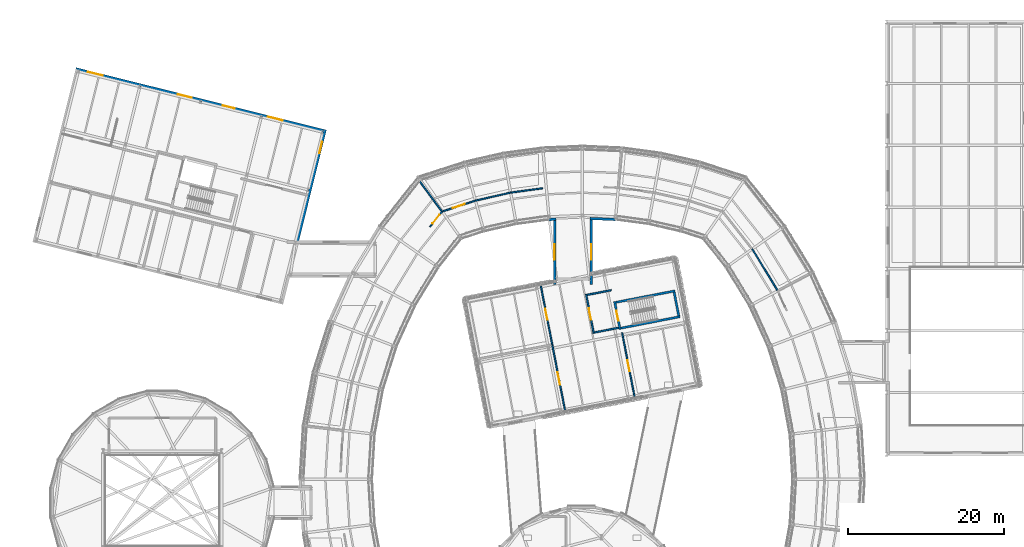
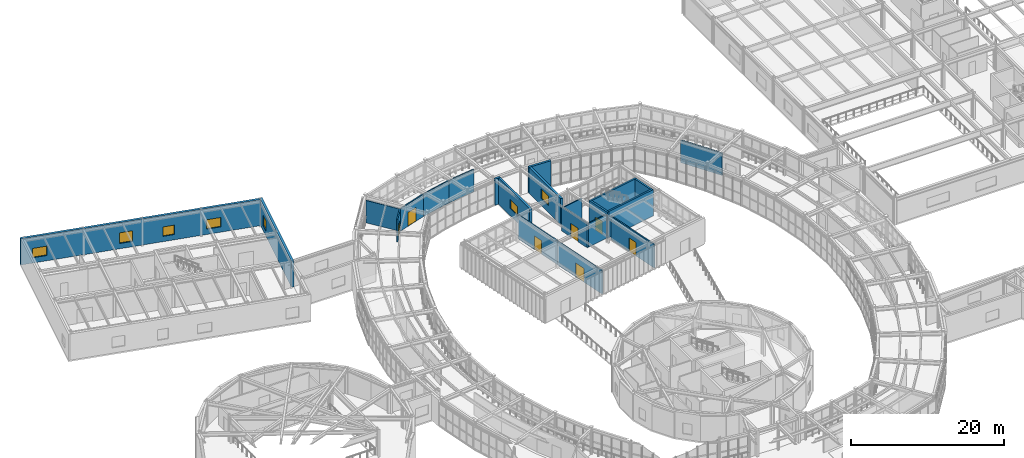
# One storey, part 80 of 103: 22 walls, 7 doors, 7 windows, 14 openings.
"""IFC4 building model written with IfcOpenShell, lengths in metres."""

from ifc_helpers import new_model, si_unit, direction, frame, frame_2d, origin, place, context, subcontext, project, spatial, rectangle, extrude, material, layer, layer_set, type_object, element, fill, save


model = new_model("IFC4")

# Units and contexts
model_context = context("Model", 3, precision=1e-05, world=origin(), true_north=direction((0.0, 1.0)))
body_context = subcontext(model_context, "Body", "Model", "MODEL_VIEW")
ifc_project = project(units=[si_unit("LENGTHUNIT", "METRE"), si_unit("AREAUNIT", "SQUARE_METRE"), si_unit("VOLUMEUNIT", "CUBIC_METRE"), si_unit("PLANEANGLEUNIT", "RADIAN"), si_unit("MASSUNIT", "GRAM", prefix="KILO")], contexts=[model_context])

# Site, building, storey
site_placement = place(None, origin())
site = spatial("IfcSite", under=ifc_project, at=site_placement, CompositionType="ELEMENT")
building_placement = place(site_placement, origin())
building = spatial("IfcBuilding", under=site, at=building_placement, Name="Varnklinge Art Gallery", CompositionType="ELEMENT")
storey_placement = place(building_placement, frame((0.0, 0.0, 5.10009765625)))
storey = spatial("IfcBuildingStorey", under=building, at=storey_placement, Name="L01", CompositionType="ELEMENT", Elevation=5.10009765625)

# Walls
ifc_material_1 = material(Name="Precast concrete C40/50", Category="concrete")
ifc_layer_1 = layer(ifc_material_1, 0.320068359375)
ifc_layer_set_1 = layer_set([ifc_layer_1], Name="Precast concrete C40/50")
wall_type_1 = type_object("IfcWallType", Name="EW-32", PredefinedType="SOLIDWALL", material=ifc_layer_set_1)
wall_1_placement = place(storey_placement, frame((79.738037109375, 88.20556640625, 0.0), z_axis=(0.0, 0.0, 1.0), x_axis=(-0.998997506034, 0.044765868011, 0.0)))
element("IfcWall", 1, at=wall_1_placement, inside=storey, type_object=wall_type_1, Name="EW-V2I-L01-K15-1", PredefinedType="SOLIDWALL", context=body_context, shape_type="SweptSolid", body=[
    extrude(rectangle(XDim=3.26123046875, YDim=0.320068359375, at=frame_2d((1.630615234375, 0.0))), origin(), (0.0, 0.0, 1.0), 4.179931640625),
])
wall_2_placement = place(storey_placement, frame((72.1201171875, 88.243896484375, 0.0), z_axis=(0.0, 0.0, 1.0), x_axis=(-0.999003976874, -0.044621230262, 0.0)))
element("IfcWall", 2, at=wall_2_placement, inside=storey, type_object=wall_type_1, Name="EW-V2I-L01-K16-1", PredefinedType="SOLIDWALL", context=body_context, shape_type="SweptSolid", body=[
    extrude(rectangle(XDim=0.859130859375, YDim=0.320068359375, at=frame_2d((0.4296875, 0.0))), origin(), (0.0, 0.0, 1.0), 4.179931640625),
])

# Wall, opening, window
wall_3_placement = place(storey_placement, frame((71.9599609375, 79.91796875, 0.0), z_axis=(0.0, 0.0, 1.0), x_axis=(0.0, 1.0, 0.0)))
wall_3 = element("IfcWall", 3, at=wall_3_placement, inside=storey, type_object=wall_type_1, Name="L01 Gallery Link Wall EW-LNK-V4N-L01-W", PredefinedType="SOLIDWALL", context=body_context, shape_type="SweptSolid", body=[
    extrude(rectangle(XDim=8.29736328125, YDim=0.320068359375, at=frame_2d((4.148681640625, 0.0))), origin(), (0.0, 0.0, 1.0), 4.179931640625),
])
opening_1_placement = place(wall_3_placement, frame((3.173583984375, 0.0, 1.1201171875)))
opening_1 = element("IfcOpeningElement", 4, at=opening_1_placement, cuts=wall_3, Name="Opening WN-05", PredefinedType="OPENING", context=body_context, shape_type="SweptSolid", body=[
    extrude(rectangle(XDim=1.949951171875, YDim=1.5, at=frame_2d((0.97509765625, 0.75))), frame((0.0, 0.170166015625, 0.0), z_axis=(0.0, -1.0, 0.0), x_axis=(1.0, 0.0, 0.0)), (0.0, 0.0, 1.0), 0.340087890625),
])
ifc_material_2 = material(Name="Insulated Low-E Triple Glazing", Category="glass")
window_type_1 = type_object("IfcWindowType", Name="WN-05", PartitioningType="SINGLE_PANEL", PredefinedType="WINDOW", material=ifc_material_2)
window_1_placement = place(opening_1_placement, origin())
window_1 = element("IfcWindow", 5, at=window_1_placement, inside=storey, type_object=window_type_1, Name="L01 Window WIN-L01-225", OverallHeight=1.5, OverallWidth=1.949951171875, PartitioningType="SINGLE_PANEL", PredefinedType="WINDOW", context=body_context, shape_type="SweptSolid", body=[
    extrude(rectangle(XDim=1.949951171875, YDim=1.5, at=frame_2d((0.97509765625, 0.75))), frame((0.0, 0.030029296875, 0.0), z_axis=(0.0, -1.0, 0.0), x_axis=(1.0, 0.0, 0.0)), (0.0, 0.0, 1.0), 0.06005859375),
])
fill(opening_1, window_1)

wall_4_placement = place(storey_placement, frame((76.639892578125, 88.21533203125, 0.0), z_axis=(0.0, 0.0, 1.0), x_axis=(0.0, -1.0, 0.0)))
wall_4 = element("IfcWall", 6, at=wall_4_placement, inside=storey, type_object=wall_type_1, Name="L01 Gallery Link Wall EW-LNK-V4N-L01-E", PredefinedType="SOLIDWALL", context=body_context, shape_type="SweptSolid", body=[
    extrude(rectangle(XDim=8.29736328125, YDim=0.320068359375, at=frame_2d((4.148681640625, 0.0))), origin(), (0.0, 0.0, 1.0), 4.179931640625),
])
opening_2_placement = place(wall_4_placement, frame((3.173583984375, 0.0, 1.1201171875)))
opening_2 = element("IfcOpeningElement", 7, at=opening_2_placement, cuts=wall_4, Name="Opening WN-05", PredefinedType="OPENING", context=body_context, shape_type="SweptSolid", body=[
    extrude(rectangle(XDim=1.949951171875, YDim=1.5, at=frame_2d((0.97509765625, 0.75))), frame((0.0, 0.170166015625, 0.0), z_axis=(0.0, -1.0, 0.0), x_axis=(1.0, 0.0, 0.0)), (0.0, 0.0, 1.0), 0.340087890625),
])
window_2_placement = place(opening_2_placement, origin())
window_2 = element("IfcWindow", 8, at=window_2_placement, inside=storey, type_object=window_type_1, Name="L01 Window WIN-L01-226", OverallHeight=1.5, OverallWidth=1.949951171875, PartitioningType="SINGLE_PANEL", PredefinedType="WINDOW", context=body_context, shape_type="SweptSolid", body=[
    extrude(rectangle(XDim=1.949951171875, YDim=1.5, at=frame_2d((0.97509765625, 0.75))), frame((0.0, 0.030029296875, 0.0), z_axis=(0.0, -1.0, 0.0), x_axis=(1.0, 0.0, 0.0)), (0.0, 0.0, 1.0), 0.06005859375),
])
fill(opening_2, window_2)

# Wall, openings, windows
ifc_material_3 = material(Name="Concrete C40/50", Category="concrete")
ifc_layer_2 = layer(ifc_material_3, 0.360107421875)
ifc_layer_set_2 = layer_set([ifc_layer_2], Name="Concrete C40/50")
wall_type_2 = type_object("IfcWallType", Name="EW-36", PredefinedType="SOLIDWALL", material=ifc_layer_set_2)
wall_5_placement = place(storey_placement, frame((10.728515625, 107.475341796875, 0.0), z_axis=(0.0, 0.0, 1.0), x_axis=(0.970297203556, -0.241915970475, 0.0)))
wall_5 = element("IfcWall", 9, at=wall_5_placement, inside=storey, type_object=wall_type_2, Name="L01 Exterior Wall EW-V5-L01-02", PredefinedType="SOLIDWALL", context=body_context, shape_type="SweptSolid", body=[
    extrude(rectangle(XDim=32.820068359375, YDim=0.360107421875, at=frame_2d((16.41015625, 0.0))), origin(), (0.0, 0.0, 1.0), 4.179931640625),
])
opening_3_placement = place(wall_5_placement, frame((1.60009765625, 0.0, 0.85009765625)))
opening_3 = element("IfcOpeningElement", 10, at=opening_3_placement, cuts=wall_5, Name="Opening WN-05", PredefinedType="OPENING", context=body_context, shape_type="SweptSolid", body=[
    extrude(rectangle(XDim=1.949951171875, YDim=1.5, at=frame_2d((0.97509765625, 0.75))), frame((0.0, 0.190185546875, 0.0), z_axis=(0.0, -1.0, 0.0), x_axis=(1.0, 0.0, 0.0)), (0.0, 0.0, 1.0), 0.380126953125),
])
opening_4_placement = place(wall_5_placement, frame((13.447998046875, 0.0, 0.85009765625)))
opening_4 = element("IfcOpeningElement", 11, at=opening_4_placement, cuts=wall_5, Name="Opening WN-11", PredefinedType="OPENING", context=body_context, shape_type="SweptSolid", body=[
    extrude(rectangle(XDim=1.800048828125, YDim=1.699951171875, at=frame_2d((0.89990234375, 0.85009765625))), frame((0.0, 0.190185546875, 0.0), z_axis=(0.0, -1.0, 0.0), x_axis=(1.0, 0.0, 0.0)), (0.0, 0.0, 1.0), 0.380126953125),
])
opening_5_placement = place(wall_5_placement, frame((19.3720703125, 0.0, 0.85009765625)))
opening_5 = element("IfcOpeningElement", 12, at=opening_5_placement, cuts=wall_5, Name="Opening WN-03", PredefinedType="OPENING", context=body_context, shape_type="SweptSolid", body=[
    extrude(rectangle(XDim=1.550048828125, YDim=1.5, at=frame_2d((0.77490234375, 0.75))), frame((0.0, 0.190185546875, 0.0), z_axis=(0.0, -1.0, 0.0), x_axis=(1.0, 0.0, 0.0)), (0.0, 0.0, 1.0), 0.380126953125),
])
opening_6_placement = place(wall_5_placement, frame((25.2958984375, 0.0, 0.85009765625)))
opening_6 = element("IfcOpeningElement", 13, at=opening_6_placement, cuts=wall_5, Name="Opening WN-05", PredefinedType="OPENING", context=body_context, shape_type="SweptSolid", body=[
    extrude(rectangle(XDim=1.949951171875, YDim=1.5, at=frame_2d((0.97509765625, 0.75))), frame((0.0, 0.190185546875, 0.0), z_axis=(0.0, -1.0, 0.0), x_axis=(1.0, 0.0, 0.0)), (0.0, 0.0, 1.0), 0.380126953125),
])
ifc_material_4 = material(Name="Insulated Low-E Triple Glazing", Category="glass")
window_type_2 = type_object("IfcWindowType", Name="WN-03", PartitioningType="SINGLE_PANEL", PredefinedType="WINDOW", material=ifc_material_4)
window_3_placement = place(opening_5_placement, origin())
window_3 = element("IfcWindow", 14, at=window_3_placement, inside=storey, type_object=window_type_2, Name="L01 Window WIN-L01-132", OverallHeight=1.5, OverallWidth=1.550048828125, PartitioningType="SINGLE_PANEL", PredefinedType="WINDOW", context=body_context, shape_type="SweptSolid", body=[
    extrude(rectangle(XDim=1.550048828125, YDim=1.5, at=frame_2d((0.77490234375, 0.75))), frame((0.0, 0.030029296875, 0.0), z_axis=(0.0, -1.0, 0.0), x_axis=(1.0, 0.0, 0.0)), (0.0, 0.0, 1.0), 0.06005859375),
])
fill(opening_5, window_3)
window_4_placement = place(opening_3_placement, origin())
window_4 = element("IfcWindow", 15, at=window_4_placement, inside=storey, type_object=window_type_1, Name="L01 Window WIN-L01-130", OverallHeight=1.5, OverallWidth=1.949951171875, PartitioningType="SINGLE_PANEL", PredefinedType="WINDOW", context=body_context, shape_type="SweptSolid", body=[
    extrude(rectangle(XDim=1.949951171875, YDim=1.5, at=frame_2d((0.97509765625, 0.75))), frame((0.0, 0.030029296875, 0.0), z_axis=(0.0, -1.0, 0.0), x_axis=(1.0, 0.0, 0.0)), (0.0, 0.0, 1.0), 0.06005859375),
])
fill(opening_3, window_4)
window_5_placement = place(opening_6_placement, origin())
window_5 = element("IfcWindow", 16, at=window_5_placement, inside=storey, type_object=window_type_1, Name="L01 Window WIN-L01-133", OverallHeight=1.5, OverallWidth=1.949951171875, PartitioningType="SINGLE_PANEL", PredefinedType="WINDOW", context=body_context, shape_type="SweptSolid", body=[
    extrude(rectangle(XDim=1.949951171875, YDim=1.5, at=frame_2d((0.97509765625, 0.75))), frame((0.0, 0.030029296875, 0.0), z_axis=(0.0, -1.0, 0.0), x_axis=(1.0, 0.0, 0.0)), (0.0, 0.0, 1.0), 0.06005859375),
])
fill(opening_6, window_5)
ifc_material_5 = material(Name="Insulated Low-E Triple Glazing", Category="glass")
window_type_3 = type_object("IfcWindowType", Name="WN-11", PartitioningType="SINGLE_PANEL", PredefinedType="WINDOW", material=ifc_material_5)
window_6_placement = place(opening_4_placement, origin())
window_6 = element("IfcWindow", 17, at=window_6_placement, inside=storey, type_object=window_type_3, Name="L01 Window WIN-L01-131", OverallHeight=1.699951171875, OverallWidth=1.800048828125, PartitioningType="SINGLE_PANEL", PredefinedType="WINDOW", context=body_context, shape_type="SweptSolid", body=[
    extrude(rectangle(XDim=1.800048828125, YDim=1.699951171875, at=frame_2d((0.89990234375, 0.85009765625))), frame((0.0, 0.030029296875, 0.0), z_axis=(0.0, -1.0, 0.0), x_axis=(1.0, 0.0, 0.0)), (0.0, 0.0, 1.0), 0.06005859375),
])
fill(opening_4, window_6)

# Wall, opening, window
wall_6_placement = place(storey_placement, frame((42.6171875, 99.710205078125, 0.0), z_axis=(0.0, 0.0, 1.0), x_axis=(-0.241906463411, -0.970299573822, 0.0)))
wall_6 = element("IfcWall", 18, at=wall_6_placement, inside=storey, type_object=wall_type_2, Name="L01 Exterior Wall EW-V5-L01-03", PredefinedType="SOLIDWALL", context=body_context, shape_type="SweptSolid", body=[
    extrude(rectangle(XDim=14.97509765625, YDim=0.360107421875, at=frame_2d((7.487548828125, 0.0))), origin(), (0.0, 0.0, 1.0), 4.179931640625),
])
opening_7_placement = place(wall_6_placement, frame((1.60009765625, 0.0, 0.85009765625)))
opening_7 = element("IfcOpeningElement", 19, at=opening_7_placement, cuts=wall_6, Name="Opening WN-10", PredefinedType="OPENING", context=body_context, shape_type="SweptSolid", body=[
    extrude(rectangle(XDim=1.5, YDim=1.699951171875, at=frame_2d((0.75, 0.85009765625))), frame((0.0, 0.190185546875, 0.0), z_axis=(0.0, -1.0, 0.0), x_axis=(1.0, 0.0, 0.0)), (0.0, 0.0, 1.0), 0.380126953125),
])
ifc_material_6 = material(Name="Insulated Low-E Triple Glazing", Category="glass")
window_type_4 = type_object("IfcWindowType", Name="WN-10", PartitioningType="SINGLE_PANEL", PredefinedType="WINDOW", material=ifc_material_6)
window_7_placement = place(opening_7_placement, origin())
window_7 = element("IfcWindow", 20, at=window_7_placement, inside=storey, type_object=window_type_4, Name="L01 Window WIN-L01-134", OverallHeight=1.699951171875, OverallWidth=1.5, PartitioningType="SINGLE_PANEL", PredefinedType="WINDOW", context=body_context, shape_type="SweptSolid", body=[
    extrude(rectangle(XDim=1.5, YDim=1.699951171875, at=frame_2d((0.75, 0.85009765625))), frame((0.0, 0.030029296875, 0.0), z_axis=(0.0, -1.0, 0.0), x_axis=(1.0, 0.0, 0.0)), (0.0, 0.0, 1.0), 0.06005859375),
])
fill(opening_7, window_7)

# Wall
ifc_material_7 = material(Name="Gypsum Board Partition", Category="gypsum")
ifc_layer_3 = layer(ifc_material_7, 0.179931640625)
ifc_layer_set_3 = layer_set([ifc_layer_3], Name="Gypsum Board Partition")
wall_type_3 = type_object("IfcWallType", Name="IW-18", PredefinedType="PARTITIONING", material=ifc_layer_set_3)
wall_7_placement = place(storey_placement, frame((97.228515625, 84.438720703125, 0.0), z_axis=(0.0, 0.0, 1.0), x_axis=(0.520915928932, -0.853607986716, 0.0)))
element("IfcWall", 21, at=wall_7_placement, inside=storey, type_object=wall_type_3, Name="L01 Partition Wall IW-L01-0182", PredefinedType="PARTITIONING", context=body_context, shape_type="SweptSolid", body=[
    extrude(rectangle(XDim=6.232421875, YDim=0.179931640625, at=frame_2d((3.1162109375, 0.0))), origin(), (0.0, 0.0, 1.0), 3.56982421875),
])

# Wall, opening, door
wall_8_placement = place(storey_placement, frame((57.5634765625, 89.22802734375, 0.0), z_axis=(0.0, 0.0, 1.0), x_axis=(0.950105725535, 0.311928053091, 0.0)))
wall_8 = element("IfcWall", 22, at=wall_8_placement, inside=storey, type_object=wall_type_3, Name="L01 Partition Wall IW-L01-0183", PredefinedType="PARTITIONING", context=body_context, shape_type="SweptSolid", body=[
    extrude(rectangle(XDim=4.50048828125, YDim=0.179931640625, at=frame_2d((2.250244140625, 0.0))), origin(), (0.0, 0.0, 1.0), 3.56982421875),
])
opening_8_placement = place(wall_8_placement, frame((1.43017578125, 0.0, 0.0)))
opening_8 = element("IfcOpeningElement", 23, at=opening_8_placement, cuts=wall_8, Name="Opening D-L01-188", PredefinedType="OPENING", context=body_context, shape_type="SweptSolid", body=[
    extrude(rectangle(XDim=1.639892578125, YDim=2.199951171875, at=frame_2d((0.81982421875, 1.10009765625))), frame((0.0, 0.099853515625, 0.0), z_axis=(0.0, -1.0, 0.0), x_axis=(1.0, 0.0, 0.0)), (0.0, 0.0, 1.0), 0.199951171875),
])
ifc_material_8 = material(Name="Oak Timber Leaf", Category="wood")
door_type_1 = type_object("IfcDoorType", Name="ID-08", OperationType="DOUBLE_DOOR_SINGLE_SWING", PredefinedType="DOOR", material=ifc_material_8)
door_1_placement = place(opening_8_placement, origin())
door_1 = element("IfcDoor", 24, at=door_1_placement, inside=storey, type_object=door_type_1, Name="L01 L01 Upper Northwest New Media Gallery Door D-L01-188", OperationType="DOUBLE_DOOR_SINGLE_SWING", OverallHeight=2.199951171875, OverallWidth=1.639892578125, PredefinedType="DOOR", context=body_context, shape_type="SweptSolid", body=[
    extrude(rectangle(XDim=1.639892578125, YDim=2.199951171875, at=frame_2d((0.81982421875, 1.10009765625))), frame((0.0, 0.02490234375, 0.0), z_axis=(0.0, -1.0, 0.0), x_axis=(1.0, 0.0, 0.0)), (0.0, 0.0, 1.0), 0.050048828125),
])
fill(opening_8, door_1)

# Walls
wall_9_placement = place(storey_placement, frame((61.83935546875, 90.6318359375, 0.0), z_axis=(0.0, 0.0, 1.0), x_axis=(0.975049979992, 0.221985442131, 0.0)))
element("IfcWall", 25, at=wall_9_placement, inside=storey, type_object=wall_type_3, Name="L01 Partition Wall IW-L01-0184", PredefinedType="PARTITIONING", context=body_context, shape_type="SweptSolid", body=[
    extrude(rectangle(XDim=4.60498046875, YDim=0.179931640625, at=frame_2d((2.302490234375, 0.0))), origin(), (0.0, 0.0, 1.0), 3.56982421875),
])
wall_10_placement = place(storey_placement, frame((66.329345703125, 91.654052734375, 0.0), z_axis=(0.0, 0.0, 1.0), x_axis=(0.990990314018, 0.133933556372, 0.0)))
element("IfcWall", 26, at=wall_10_placement, inside=storey, type_object=wall_type_3, Name="L01 Partition Wall IW-L01-0185", PredefinedType="PARTITIONING", context=body_context, shape_type="SweptSolid", body=[
    extrude(rectangle(XDim=4.137939453125, YDim=0.179931640625, at=frame_2d((2.06884765625, 0.0))), origin(), (0.0, 0.0, 1.0), 3.56982421875),
])

# Wall, opening, door
wall_11_placement = place(storey_placement, frame((56.010498046875, 87.2666015625, 0.0), z_axis=(0.0, 0.0, 1.0), x_axis=(0.620747935214, 0.784010204607, 0.0)))
wall_11 = element("IfcWall", 27, at=wall_11_placement, inside=storey, type_object=wall_type_3, Name="L01 Partition Wall IW-L01-0190", PredefinedType="PARTITIONING", context=body_context, shape_type="SweptSolid", body=[
    extrude(rectangle(XDim=2.501708984375, YDim=0.179931640625, at=frame_2d((1.2509765625, 0.0))), origin(), (0.0, 0.0, 1.0), 3.56982421875),
])
opening_9_placement = place(wall_11_placement, frame((0.541015625, 0.0, 0.0)))
opening_9 = element("IfcOpeningElement", 28, at=opening_9_placement, cuts=wall_11, Name="Opening D-L01-191", PredefinedType="OPENING", context=body_context, shape_type="SweptSolid", body=[
    extrude(rectangle(XDim=1.419921875, YDim=2.179931640625, at=frame_2d((0.7099609375, 1.08984375))), frame((0.0, 0.099853515625, 0.0), z_axis=(0.0, -1.0, 0.0), x_axis=(1.0, 0.0, 0.0)), (0.0, 0.0, 1.0), 0.199951171875),
])
ifc_material_9 = material(Name="Oak Timber Leaf", Category="wood")
door_type_2 = type_object("IfcDoorType", Name="ID-07", OperationType="DOUBLE_DOOR_SINGLE_SWING", PredefinedType="DOOR", material=ifc_material_9)
door_2_placement = place(opening_9_placement, origin())
door_2 = element("IfcDoor", 29, at=door_2_placement, inside=storey, type_object=door_type_2, Name="L01 L01 Upper West Curved Exhibition Gallery 2 Door D-L01-191", OperationType="DOUBLE_DOOR_SINGLE_SWING", OverallHeight=2.179931640625, OverallWidth=1.419921875, PredefinedType="DOOR", context=body_context, shape_type="SweptSolid", body=[
    extrude(rectangle(XDim=1.419921875, YDim=2.179931640625, at=frame_2d((0.7099609375, 1.08984375))), frame((0.0, 0.02490234375, 0.0), z_axis=(0.0, -1.0, 0.0), x_axis=(1.0, 0.0, 0.0)), (0.0, 0.0, 1.0), 0.050048828125),
])
fill(opening_9, door_2)

wall_12_placement = place(storey_placement, frame((71.650634765625, 72.23046875, 0.0), z_axis=(0.0, 0.0, 1.0), x_axis=(-0.190786732806, 0.981631510591, 0.0)))
wall_12 = element("IfcWall", 30, at=wall_12_placement, inside=storey, type_object=wall_type_3, Name="L01 Partition Wall IW-L01-0216", PredefinedType="PARTITIONING", context=body_context, shape_type="SweptSolid", body=[
    extrude(rectangle(XDim=7.880126953125, YDim=0.179931640625, at=frame_2d((3.93994140625, 0.0))), origin(), (0.0, 0.0, 1.0), 3.789794921875),
])
opening_10_placement = place(wall_12_placement, frame((3.22998046875, 0.0, 0.0)))
opening_10 = element("IfcOpeningElement", 31, at=opening_10_placement, cuts=wall_12, Name="Opening D-L01-203", PredefinedType="OPENING", context=body_context, shape_type="SweptSolid", body=[
    extrude(rectangle(XDim=1.419921875, YDim=2.179931640625, at=frame_2d((0.7099609375, 1.08984375))), frame((0.0, 0.099853515625, 0.0), z_axis=(0.0, -1.0, 0.0), x_axis=(1.0, 0.0, 0.0)), (0.0, 0.0, 1.0), 0.199951171875),
])
door_3_placement = place(opening_10_placement, origin())
door_3 = element("IfcDoor", 32, at=door_3_placement, inside=storey, type_object=door_type_2, Name="L01 L01 Lattice North Daylight Gallery Door D-L01-203", OperationType="DOUBLE_DOOR_SINGLE_SWING", OverallHeight=2.179931640625, OverallWidth=1.419921875, PredefinedType="DOOR", context=body_context, shape_type="SweptSolid", body=[
    extrude(rectangle(XDim=1.419921875, YDim=2.179931640625, at=frame_2d((0.7099609375, 1.08984375))), frame((0.0, 0.02490234375, 0.0), z_axis=(0.0, -1.0, 0.0), x_axis=(1.0, 0.0, 0.0)), (0.0, 0.0, 1.0), 0.050048828125),
])
fill(opening_10, door_3)

wall_13_placement = place(storey_placement, frame((73.33349609375, 63.57275390625, 0.0), z_axis=(0.0, 0.0, 1.0), x_axis=(-0.190805940679, 0.981627777216, 0.0)))
wall_13 = element("IfcWall", 33, at=wall_13_placement, inside=storey, type_object=wall_type_3, Name="L01 Partition Wall IW-L01-0217", PredefinedType="PARTITIONING", context=body_context, shape_type="SweptSolid", body=[
    extrude(rectangle(XDim=8.81982421875, YDim=0.179931640625, at=frame_2d((4.409912109375, 0.0))), origin(), (0.0, 0.0, 1.0), 3.739990234375),
])
opening_11_placement = place(wall_13_placement, frame((3.58984375, 0.0, 0.0)))
opening_11 = element("IfcOpeningElement", 34, at=opening_11_placement, cuts=wall_13, Name="Opening D-L01-204", PredefinedType="OPENING", context=body_context, shape_type="SweptSolid", body=[
    extrude(rectangle(XDim=1.639892578125, YDim=2.199951171875, at=frame_2d((0.81982421875, 1.10009765625))), frame((0.0, 0.099853515625, 0.0), z_axis=(0.0, -1.0, 0.0), x_axis=(1.0, 0.0, 0.0)), (0.0, 0.0, 1.0), 0.199951171875),
])
door_4_placement = place(opening_11_placement, origin())
door_4 = element("IfcDoor", 35, at=door_4_placement, inside=storey, type_object=door_type_1, Name="L01 L01 Lattice Video Installation Gallery Door D-L01-204", OperationType="DOUBLE_DOOR_SINGLE_SWING", OverallHeight=2.199951171875, OverallWidth=1.639892578125, PredefinedType="DOOR", context=body_context, shape_type="SweptSolid", body=[
    extrude(rectangle(XDim=1.639892578125, YDim=2.199951171875, at=frame_2d((0.81982421875, 1.10009765625))), frame((0.0, 0.02490234375, 0.0), z_axis=(0.0, -1.0, 0.0), x_axis=(1.0, 0.0, 0.0)), (0.0, 0.0, 1.0), 0.050048828125),
])
fill(opening_11, door_4)

wall_14_placement = place(storey_placement, frame((80.590087890625, 73.7236328125, 0.0), z_axis=(0.0, 0.0, 1.0), x_axis=(0.190821676148, -0.98162471847, 0.0)))
wall_14 = element("IfcWall", 36, at=wall_14_placement, inside=storey, type_object=wall_type_3, Name="L01 Partition Wall IW-L01-0218", PredefinedType="PARTITIONING", context=body_context, shape_type="SweptSolid", body=[
    extrude(rectangle(XDim=8.579833984375, YDim=0.179931640625, at=frame_2d((4.2900390625, 0.0))), origin(), (0.0, 0.0, 1.0), 3.739990234375),
])
opening_12_placement = place(wall_14_placement, frame((3.580078125, 0.0, 0.0)))
opening_12 = element("IfcOpeningElement", 37, at=opening_12_placement, cuts=wall_14, Name="Opening D-L01-205", PredefinedType="OPENING", context=body_context, shape_type="SweptSolid", body=[
    extrude(rectangle(XDim=1.419921875, YDim=2.179931640625, at=frame_2d((0.7099609375, 1.08984375))), frame((0.0, 0.099853515625, 0.0), z_axis=(0.0, -1.0, 0.0), x_axis=(1.0, 0.0, 0.0)), (0.0, 0.0, 1.0), 0.199951171875),
])
door_5_placement = place(opening_12_placement, origin())
door_5 = element("IfcDoor", 38, at=door_5_placement, inside=storey, type_object=door_type_2, Name="L01 L01 Lattice Photography Cabinet Door D-L01-205", OperationType="DOUBLE_DOOR_SINGLE_SWING", OverallHeight=2.179931640625, OverallWidth=1.419921875, PredefinedType="DOOR", context=body_context, shape_type="SweptSolid", body=[
    extrude(rectangle(XDim=1.419921875, YDim=2.179931640625, at=frame_2d((0.7099609375, 1.08984375))), frame((0.0, 0.02490234375, 0.0), z_axis=(0.0, -1.0, 0.0), x_axis=(1.0, 0.0, 0.0)), (0.0, 0.0, 1.0), 0.050048828125),
])
fill(opening_12, door_5)

# Walls
wall_15_placement = place(storey_placement, frame((57.5634765625, 89.22802734375, 0.0), z_axis=(0.0, 0.0, 1.0), x_axis=(-0.593204202216, 0.805052032153, 0.0)))
element("IfcWall", 39, at=wall_15_placement, inside=storey, type_object=wall_type_3, Name="L01 Partition Wall IW-L01-0244", PredefinedType="PARTITIONING", context=body_context, shape_type="SweptSolid", body=[
    extrude(rectangle(XDim=4.837890625, YDim=0.179931640625, at=frame_2d((2.4189453125, 0.0))), origin(), (0.0, 0.0, 1.0), 3.56982421875),
])
ifc_material_10 = material(Name="Concrete C40/50", Category="concrete")
ifc_layer_4 = layer(ifc_material_10, 0.199951171875)
ifc_layer_set_4 = layer_set([ifc_layer_4], Name="Concrete C40/50")
wall_type_4 = type_object("IfcWallType", Name="IW-20", PredefinedType="PARTITIONING", material=ifc_layer_set_4)
for number, where, z_axis, x_axis, name in (
    (40, (77.03662109375, 73.7666015625, 0.0), (0.0, 0.0, 1.0), (0.981639181901, 0.190747258323, 0.0), "L01 Core C8 Lobby South Wall"),
    (41, (79.193603515625, 79.177490234375, 0.0), (0.0, 0.0, 1.0), (-0.981624666284, -0.190821944603, 0.0), "L01 Core C8 Lobby North Wall"),
):
    element("IfcWall", number, at=place(storey_placement, frame(where, z_axis=z_axis, x_axis=x_axis)), inside=storey, type_object=wall_type_4, Name=name, PredefinedType="PARTITIONING", context=body_context, shape_type="SweptSolid", body=[
        extrude(rectangle(XDim=3.14990234375, YDim=0.199951171875, at=frame_2d((1.574951171875, 0.0))), origin(), (0.0, 0.0, 1.0), 3.789794921875),
    ])

# Wall, opening, door
wall_16_placement = place(storey_placement, frame((76.95751953125, 73.649169921875, 0.0), z_axis=(0.0, 0.0, 1.0), x_axis=(-0.190810719655, 0.98162684828, 0.0)))
wall_16 = element("IfcWall", 42, at=wall_16_placement, inside=storey, type_object=wall_type_4, Name="L01 Core C8 Lobby Corridor Wall", PredefinedType="PARTITIONING", context=body_context, shape_type="SweptSolid", body=[
    extrude(rectangle(XDim=5.10009765625, YDim=0.199951171875, at=frame_2d((2.550048828125, 0.0))), origin(), (0.0, 0.0, 1.0), 3.849853515625),
])
opening_13_placement = place(wall_16_placement, frame((1.81005859375, 0.0, 0.0)))
opening_13 = element("IfcOpeningElement", 43, at=opening_13_placement, cuts=wall_16, Name="Opening D-L01-111", PredefinedType="OPENING", context=body_context, shape_type="SweptSolid", body=[
    extrude(rectangle(XDim=1.47998046875, YDim=2.14990234375, at=frame_2d((0.739990234375, 1.074951171875))), frame((0.0, 0.110107421875, 0.0), z_axis=(0.0, -1.0, 0.0), x_axis=(1.0, 0.0, 0.0)), (0.0, 0.0, 1.0), 0.219970703125),
])
ifc_material_11 = material(Name="Galvanised Fire-Rated Steel", Category="steel")
door_type_3 = type_object("IfcDoorType", Name="ID-LB1", OperationType="DOUBLE_DOOR_SINGLE_SWING", PredefinedType="DOOR", material=ifc_material_11)
door_6_placement = place(opening_13_placement, origin())
door_6 = element("IfcDoor", 44, at=door_6_placement, inside=storey, type_object=door_type_3, Name="L01 Core C8 Protected Lobby Door D-L01-111", OperationType="DOUBLE_DOOR_SINGLE_SWING", OverallHeight=2.14990234375, OverallWidth=1.47998046875, PredefinedType="DOOR", context=body_context, shape_type="SweptSolid", body=[
    extrude(rectangle(XDim=1.47998046875, YDim=2.14990234375, at=frame_2d((0.739990234375, 1.074951171875))), frame((0.0, 0.02490234375, 0.0), z_axis=(0.0, -1.0, 0.0), x_axis=(1.0, 0.0, 0.0)), (0.0, 0.0, 1.0), 0.050048828125),
])
fill(opening_13, door_6)

# Walls
ifc_material_12 = material(Name="Concrete C40/50", Category="concrete")
ifc_layer_5 = layer(ifc_material_12, 0.280029296875)
ifc_layer_set_5 = layer_set([ifc_layer_5], Name="Concrete C40/50")
wall_type_5 = type_object("IfcWallType", Name="SW-28", PredefinedType="SHEAR", material=ifc_layer_set_5)
wall_17_placement = place(storey_placement, frame((80.432373046875, 74.32470703125, 0.0), z_axis=(0.0, 0.0, 1.0), x_axis=(0.981627268792, 0.190808556318, 0.0)))
element("IfcWall", 45, at=wall_17_placement, inside=storey, type_object=wall_type_5, Name="L01 Core C8 South Shear Wall", PredefinedType="SHEAR", context=body_context, shape_type="SweptSolid", body=[
    extrude(rectangle(XDim=7.699951171875, YDim=0.280029296875, at=frame_2d((3.85009765625, 0.0))), origin(), (0.0, 0.0, 1.0), 4.199951171875),
])
wall_18_placement = place(storey_placement, frame((87.826904296875, 75.904541015625, 0.0), z_axis=(0.0, 0.0, 1.0), x_axis=(-0.190869659102, 0.981615389669, 0.0)))
element("IfcWall", 46, at=wall_18_placement, inside=storey, type_object=wall_type_5, Name="L01 Core C8 East Shear Wall", PredefinedType="SHEAR", context=body_context, shape_type="SweptSolid", body=[
    extrude(rectangle(XDim=3.080078125, YDim=0.280029296875, at=frame_2d((1.5400390625, 0.0))), origin(), (0.0, 0.0, 1.0), 4.199951171875),
])
wall_19_placement = place(storey_placement, frame((87.349853515625, 79.09228515625, 0.0), z_axis=(0.0, 0.0, 1.0), x_axis=(-0.98162132967, -0.190839107987, 0.0)))
element("IfcWall", 47, at=wall_19_placement, inside=storey, type_object=wall_type_5, Name="L01 Core C8 Dividing Shear Wall", PredefinedType="SHEAR", context=body_context, shape_type="SweptSolid", body=[
    extrude(rectangle(XDim=7.7001953125, YDim=0.280029296875, at=frame_2d((3.85009765625, 0.0))), origin(), (0.0, 0.0, 1.0), 4.199951171875),
])

# Wall, opening, door
wall_20_placement = place(storey_placement, frame((79.627197265625, 77.733642578125, 0.0), z_axis=(0.0, 0.0, 1.0), x_axis=(0.190812213529, -0.981626557897, 0.0)))
wall_20 = element("IfcWall", 48, at=wall_20_placement, inside=storey, type_object=wall_type_5, Name="L01 Core C8 Front Shear Wall", PredefinedType="SHEAR", context=body_context, shape_type="SweptSolid", body=[
    extrude(rectangle(XDim=3.64013671875, YDim=0.280029296875, at=frame_2d((1.820068359375, 0.0))), origin(), (0.0, 0.0, 1.0), 4.199951171875),
])
opening_14_placement = place(wall_20_placement, frame((1.199951171875, 0.0, 0.0)))
opening_14 = element("IfcOpeningElement", 49, at=opening_14_placement, cuts=wall_20, Name="Opening D-L01-110", PredefinedType="OPENING", context=body_context, shape_type="SweptSolid", body=[
    extrude(rectangle(XDim=1.320068359375, YDim=2.1201171875, at=frame_2d((0.66015625, 1.06005859375))), frame((0.0, 0.150146484375, 0.0), z_axis=(0.0, -1.0, 0.0), x_axis=(1.0, 0.0, 0.0)), (0.0, 0.0, 1.0), 0.300048828125),
])
ifc_material_13 = material(Name="Galvanised Fire-Rated Steel", Category="steel")
door_type_4 = type_object("IfcDoorType", Name="ID-ST1", OperationType="SINGLE_SWING_LEFT", PredefinedType="DOOR", material=ifc_material_13)
door_7_placement = place(opening_14_placement, origin())
door_7 = element("IfcDoor", 50, at=door_7_placement, inside=storey, type_object=door_type_4, Name="L01 Stair ST-10 Fire Door D-L01-110", OperationType="SINGLE_SWING_LEFT", OverallHeight=2.1201171875, OverallWidth=1.320068359375, PredefinedType="DOOR", context=body_context, shape_type="SweptSolid", body=[
    extrude(rectangle(XDim=1.320068359375, YDim=2.1201171875, at=frame_2d((0.66015625, 1.06005859375))), frame((0.0, 0.02490234375, 0.0), z_axis=(0.0, -1.0, 0.0), x_axis=(1.0, 0.0, 0.0)), (0.0, 0.0, 1.0), 0.050048828125),
])
fill(opening_14, door_7)

save(model, "model.ifc")
